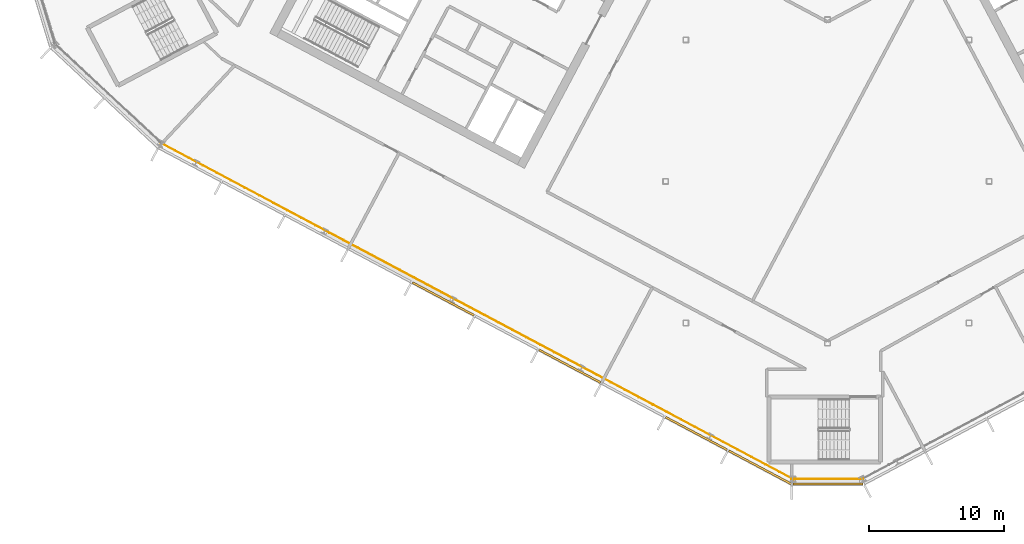
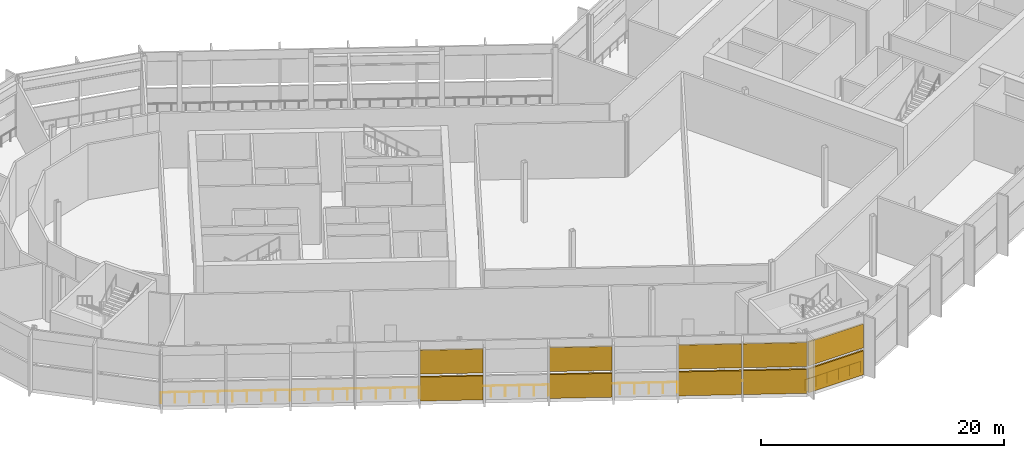
# One storey, part 22 of 33: 10 shading devices, 2 railings, 2 elements without a shape of their own.
"""IFC4 building model written with IfcOpenShell, lengths in metres."""

from ifc_helpers import new_model, si_unit, direction, frame, origin, origin_2d, place, context, subcontext, project, spatial, polyline, rectangle, outline, extrude, material, layer, layer_set, type_object, element, aggregate, save


model = new_model("IFC4")

# Units and contexts
model_context = context("Model", 3, precision=1e-05, world=origin(), true_north=direction((0.0, 1.0)))
body_context = subcontext(model_context, "Body", "Model", "MODEL_VIEW")
ifc_project = project(units=[si_unit("LENGTHUNIT", "METRE"), si_unit("AREAUNIT", "SQUARE_METRE"), si_unit("VOLUMEUNIT", "CUBIC_METRE"), si_unit("PLANEANGLEUNIT", "RADIAN"), si_unit("MASSUNIT", "GRAM", prefix="KILO")], contexts=[model_context])

# Site, building, storey
site_placement = place(None, origin())
site = spatial("IfcSite", under=ifc_project, at=site_placement, CompositionType="ELEMENT")
building_placement = place(site_placement, origin())
building = spatial("IfcBuilding", under=site, at=building_placement, Name="Cormorant Relay Tower", CompositionType="ELEMENT")
storey_placement = place(building_placement, frame((0.0, 0.0, 252.0)))
storey = spatial("IfcBuildingStorey", under=building, at=storey_placement, Name="L56", CompositionType="ELEMENT", Elevation=252.0)

# Railings
ifc_material_1 = material(Name="Stainless steel 316 guard", Category="steel")
railing_type = type_object("IfcRailingType", Name="Band louvre guard 1100", PredefinedType="GUARDRAIL", material=ifc_material_1)
railing_1_placement = place(storey_placement, frame((-2.648681640625, -22.07568359375, 0.0)))
element("IfcRailing", 1, at=railing_1_placement, inside=storey, type_object=railing_type, Name="CW4 guard 1", PredefinedType="GUARDRAIL", context=body_context, shape_type="SweptSolid", body=[
    extrude(outline(polyline([(0.022216796875, 0.00927734375), (0.00927734375, 0.022216796875), (-0.00927734375, 0.022216796875), (-0.022216796875, 0.00927734375), (-0.022216796875, -0.00927734375), (-0.00927734375, -0.022216796875), (0.00927734375, -0.022216796875), (0.022216796875, -0.00927734375), (0.022216796875, 0.00927734375)])), frame((0.0, 0.0, 1.076171875), z_axis=(1.0, 0.0, 0.0), x_axis=(0.0, 1.0, 0.0)), (0.0, 0.0, 1.0), 5.29736328125),
    extrude(outline(polyline([(0.019287109375, 0.008056640625), (0.008056640625, 0.019287109375), (-0.008056640625, 0.019287109375), (-0.019287109375, 0.008056640625), (-0.019287109375, -0.008056640625), (-0.008056640625, -0.019287109375), (0.008056640625, -0.019287109375), (0.019287109375, -0.008056640625), (0.019287109375, 0.008056640625)])), origin(), (0.0, 0.0, 1.0), 1.052001953125),
    extrude(outline(polyline([(0.019287109375, 0.008056640625), (0.008056640625, 0.019287109375), (-0.008056640625, 0.019287109375), (-0.019287109375, 0.008056640625), (-0.019287109375, -0.008056640625), (-0.008056640625, -0.019287109375), (0.008056640625, -0.019287109375), (0.019287109375, -0.008056640625), (0.019287109375, 0.008056640625)])), frame((1.0595703125, 0.0, 0.0)), (0.0, 0.0, 1.0), 1.052001953125),
    extrude(outline(polyline([(0.019287109375, 0.008056640625), (0.008056640625, 0.019287109375), (-0.008056640625, 0.019287109375), (-0.019287109375, 0.008056640625), (-0.019287109375, -0.008056640625), (-0.008056640625, -0.019287109375), (0.008056640625, -0.019287109375), (0.019287109375, -0.008056640625), (0.019287109375, 0.008056640625)])), frame((2.118896484375, 0.0, 0.0)), (0.0, 0.0, 1.0), 1.052001953125),
    extrude(outline(polyline([(0.019287109375, 0.008056640625), (0.008056640625, 0.019287109375), (-0.008056640625, 0.019287109375), (-0.019287109375, 0.008056640625), (-0.019287109375, -0.008056640625), (-0.008056640625, -0.019287109375), (0.008056640625, -0.019287109375), (0.019287109375, -0.008056640625), (0.019287109375, 0.008056640625)])), frame((3.178466796875, 0.0, 0.0)), (0.0, 0.0, 1.0), 1.052001953125),
    extrude(outline(polyline([(0.019287109375, 0.008056640625), (0.008056640625, 0.019287109375), (-0.008056640625, 0.019287109375), (-0.019287109375, 0.008056640625), (-0.019287109375, -0.008056640625), (-0.008056640625, -0.019287109375), (0.008056640625, -0.019287109375), (0.019287109375, -0.008056640625), (0.019287109375, 0.008056640625)])), frame((4.23779296875, 0.0, 0.0)), (0.0, 0.0, 1.0), 1.052001953125),
    extrude(outline(polyline([(0.019287109375, 0.008056640625), (0.008056640625, 0.019287109375), (-0.008056640625, 0.019287109375), (-0.019287109375, 0.008056640625), (-0.019287109375, -0.008056640625), (-0.008056640625, -0.019287109375), (0.008056640625, -0.019287109375), (0.019287109375, -0.008056640625), (0.019287109375, 0.008056640625)])), frame((5.29736328125, 0.0, 0.0)), (0.0, 0.0, 1.0), 1.052001953125),
])
railing_2_placement = place(storey_placement, frame((-49.45068359375, 2.84912109375, 0.0)))
element("IfcRailing", 2, at=railing_2_placement, inside=storey, type_object=railing_type, Name="CW4 guard 16", PredefinedType="GUARDRAIL", context=body_context, shape_type="SweptSolid", body=[
    extrude(outline(polyline([(0.022216796875, 0.00927734375), (0.00927734375, 0.022216796875), (-0.00927734375, 0.022216796875), (-0.022216796875, 0.00927734375), (-0.022216796875, -0.00927734375), (-0.00927734375, -0.022216796875), (0.00927734375, -0.022216796875), (0.022216796875, -0.00927734375), (0.022216796875, 0.00927734375)])), frame((0.0, 0.0, 1.076171875), z_axis=(0.88294853393, -0.469469792884, 0.0), x_axis=(0.469469792884, 0.88294853393, 0.0)), (0.0, 0.0, 1.0), 53.165771484375),
    extrude(outline(polyline([(0.019287109375, 0.008056640625), (0.008056640625, 0.019287109375), (-0.008056640625, 0.019287109375), (-0.019287109375, 0.008056640625), (-0.019287109375, -0.008056640625), (-0.008056640625, -0.019287109375), (0.008056640625, -0.019287109375), (0.019287109375, -0.008056640625), (0.019287109375, 0.008056640625)])), origin(), (0.0, 0.0, 1.0), 1.052001953125),
    extrude(outline(polyline([(0.019287109375, 0.008056640625), (0.008056640625, 0.019287109375), (-0.008056640625, 0.019287109375), (-0.019287109375, 0.008056640625), (-0.019287109375, -0.008056640625), (-0.008056640625, -0.019287109375), (0.008056640625, -0.019287109375), (0.019287109375, -0.008056640625), (0.019287109375, 0.008056640625)])), frame((1.043212890625, -0.5546875, 0.0)), (0.0, 0.0, 1.0), 1.052001953125),
    extrude(outline(polyline([(0.019287109375, 0.008056640625), (0.008056640625, 0.019287109375), (-0.008056640625, 0.019287109375), (-0.019287109375, 0.008056640625), (-0.019287109375, -0.008056640625), (-0.008056640625, -0.019287109375), (0.008056640625, -0.019287109375), (0.019287109375, -0.008056640625), (0.019287109375, 0.008056640625)])), frame((2.08642578125, -1.109375, 0.0)), (0.0, 0.0, 1.0), 1.052001953125),
    extrude(outline(polyline([(0.019287109375, 0.008056640625), (0.008056640625, 0.019287109375), (-0.008056640625, 0.019287109375), (-0.019287109375, 0.008056640625), (-0.019287109375, -0.008056640625), (-0.008056640625, -0.019287109375), (0.008056640625, -0.019287109375), (0.019287109375, -0.008056640625), (0.019287109375, 0.008056640625)])), frame((3.12939453125, -1.6640625, 0.0)), (0.0, 0.0, 1.0), 1.052001953125),
    extrude(outline(polyline([(0.019287109375, 0.008056640625), (0.008056640625, 0.019287109375), (-0.008056640625, 0.019287109375), (-0.019287109375, 0.008056640625), (-0.019287109375, -0.008056640625), (-0.008056640625, -0.019287109375), (0.008056640625, -0.019287109375), (0.019287109375, -0.008056640625), (0.019287109375, 0.008056640625)])), frame((4.172607421875, -2.21875, 0.0)), (0.0, 0.0, 1.0), 1.052001953125),
    extrude(outline(polyline([(0.019287109375, 0.008056640625), (0.008056640625, 0.019287109375), (-0.008056640625, 0.019287109375), (-0.019287109375, 0.008056640625), (-0.019287109375, -0.008056640625), (-0.008056640625, -0.019287109375), (0.008056640625, -0.019287109375), (0.019287109375, -0.008056640625), (0.019287109375, 0.008056640625)])), frame((5.2158203125, -2.773193359375, 0.0)), (0.0, 0.0, 1.0), 1.052001953125),
    extrude(outline(polyline([(0.019287109375, 0.008056640625), (0.008056640625, 0.019287109375), (-0.008056640625, 0.019287109375), (-0.019287109375, 0.008056640625), (-0.019287109375, -0.008056640625), (-0.008056640625, -0.019287109375), (0.008056640625, -0.019287109375), (0.019287109375, -0.008056640625), (0.019287109375, 0.008056640625)])), frame((6.259033203125, -3.327880859375, 0.0)), (0.0, 0.0, 1.0), 1.052001953125),
    extrude(outline(polyline([(0.019287109375, 0.008056640625), (0.008056640625, 0.019287109375), (-0.008056640625, 0.019287109375), (-0.019287109375, 0.008056640625), (-0.019287109375, -0.008056640625), (-0.008056640625, -0.019287109375), (0.008056640625, -0.019287109375), (0.019287109375, -0.008056640625), (0.019287109375, 0.008056640625)])), frame((7.30224609375, -3.882568359375, 0.0)), (0.0, 0.0, 1.0), 1.052001953125),
    extrude(outline(polyline([(0.019287109375, 0.008056640625), (0.008056640625, 0.019287109375), (-0.008056640625, 0.019287109375), (-0.019287109375, 0.008056640625), (-0.019287109375, -0.008056640625), (-0.008056640625, -0.019287109375), (0.008056640625, -0.019287109375), (0.019287109375, -0.008056640625), (0.019287109375, 0.008056640625)])), frame((8.345458984375, -4.437255859375, 0.0)), (0.0, 0.0, 1.0), 1.052001953125),
    extrude(outline(polyline([(0.019287109375, 0.008056640625), (0.008056640625, 0.019287109375), (-0.008056640625, 0.019287109375), (-0.019287109375, 0.008056640625), (-0.019287109375, -0.008056640625), (-0.008056640625, -0.019287109375), (0.008056640625, -0.019287109375), (0.019287109375, -0.008056640625), (0.019287109375, 0.008056640625)])), frame((9.388427734375, -4.991943359375, 0.0)), (0.0, 0.0, 1.0), 1.052001953125),
    extrude(outline(polyline([(0.019287109375, 0.008056640625), (0.008056640625, 0.019287109375), (-0.008056640625, 0.019287109375), (-0.019287109375, 0.008056640625), (-0.019287109375, -0.008056640625), (-0.008056640625, -0.019287109375), (0.008056640625, -0.019287109375), (0.019287109375, -0.008056640625), (0.019287109375, 0.008056640625)])), frame((10.431640625, -5.546630859375, 0.0)), (0.0, 0.0, 1.0), 1.052001953125),
    extrude(outline(polyline([(0.019287109375, 0.008056640625), (0.008056640625, 0.019287109375), (-0.008056640625, 0.019287109375), (-0.019287109375, 0.008056640625), (-0.019287109375, -0.008056640625), (-0.008056640625, -0.019287109375), (0.008056640625, -0.019287109375), (0.019287109375, -0.008056640625), (0.019287109375, 0.008056640625)])), frame((11.474853515625, -6.101318359375, 0.0)), (0.0, 0.0, 1.0), 1.052001953125),
    extrude(outline(polyline([(0.019287109375, 0.008056640625), (0.008056640625, 0.019287109375), (-0.008056640625, 0.019287109375), (-0.019287109375, 0.008056640625), (-0.019287109375, -0.008056640625), (-0.008056640625, -0.019287109375), (0.008056640625, -0.019287109375), (0.019287109375, -0.008056640625), (0.019287109375, 0.008056640625)])), frame((12.51806640625, -6.656005859375, 0.0)), (0.0, 0.0, 1.0), 1.052001953125),
    extrude(outline(polyline([(0.019287109375, 0.008056640625), (0.008056640625, 0.019287109375), (-0.008056640625, 0.019287109375), (-0.019287109375, 0.008056640625), (-0.019287109375, -0.008056640625), (-0.008056640625, -0.019287109375), (0.008056640625, -0.019287109375), (0.019287109375, -0.008056640625), (0.019287109375, 0.008056640625)])), frame((13.561279296875, -7.210693359375, 0.0)), (0.0, 0.0, 1.0), 1.052001953125),
    extrude(outline(polyline([(0.019287109375, 0.008056640625), (0.008056640625, 0.019287109375), (-0.008056640625, 0.019287109375), (-0.019287109375, 0.008056640625), (-0.019287109375, -0.008056640625), (-0.008056640625, -0.019287109375), (0.008056640625, -0.019287109375), (0.019287109375, -0.008056640625), (0.019287109375, 0.008056640625)])), frame((14.6044921875, -7.76513671875, 0.0)), (0.0, 0.0, 1.0), 1.052001953125),
    extrude(outline(polyline([(0.019287109375, 0.008056640625), (0.008056640625, 0.019287109375), (-0.008056640625, 0.019287109375), (-0.019287109375, 0.008056640625), (-0.019287109375, -0.008056640625), (-0.008056640625, -0.019287109375), (0.008056640625, -0.019287109375), (0.019287109375, -0.008056640625), (0.019287109375, 0.008056640625)])), frame((15.6474609375, -8.31982421875, 0.0)), (0.0, 0.0, 1.0), 1.052001953125),
    extrude(outline(polyline([(0.019287109375, 0.008056640625), (0.008056640625, 0.019287109375), (-0.008056640625, 0.019287109375), (-0.019287109375, 0.008056640625), (-0.019287109375, -0.008056640625), (-0.008056640625, -0.019287109375), (0.008056640625, -0.019287109375), (0.019287109375, -0.008056640625), (0.019287109375, 0.008056640625)])), frame((16.690673828125, -8.87451171875, 0.0)), (0.0, 0.0, 1.0), 1.052001953125),
    extrude(outline(polyline([(0.019287109375, 0.008056640625), (0.008056640625, 0.019287109375), (-0.008056640625, 0.019287109375), (-0.019287109375, 0.008056640625), (-0.019287109375, -0.008056640625), (-0.008056640625, -0.019287109375), (0.008056640625, -0.019287109375), (0.019287109375, -0.008056640625), (0.019287109375, 0.008056640625)])), frame((17.73388671875, -9.42919921875, 0.0)), (0.0, 0.0, 1.0), 1.052001953125),
    extrude(outline(polyline([(0.019287109375, 0.008056640625), (0.008056640625, 0.019287109375), (-0.008056640625, 0.019287109375), (-0.019287109375, 0.008056640625), (-0.019287109375, -0.008056640625), (-0.008056640625, -0.019287109375), (0.008056640625, -0.019287109375), (0.019287109375, -0.008056640625), (0.019287109375, 0.008056640625)])), frame((18.777099609375, -9.98388671875, 0.0)), (0.0, 0.0, 1.0), 1.052001953125),
    extrude(outline(polyline([(0.019287109375, 0.008056640625), (0.008056640625, 0.019287109375), (-0.008056640625, 0.019287109375), (-0.019287109375, 0.008056640625), (-0.019287109375, -0.008056640625), (-0.008056640625, -0.019287109375), (0.008056640625, -0.019287109375), (0.019287109375, -0.008056640625), (0.019287109375, 0.008056640625)])), frame((19.8203125, -10.53857421875, 0.0)), (0.0, 0.0, 1.0), 1.052001953125),
    extrude(outline(polyline([(0.019287109375, 0.008056640625), (0.008056640625, 0.019287109375), (-0.008056640625, 0.019287109375), (-0.019287109375, 0.008056640625), (-0.019287109375, -0.008056640625), (-0.008056640625, -0.019287109375), (0.008056640625, -0.019287109375), (0.019287109375, -0.008056640625), (0.019287109375, 0.008056640625)])), frame((20.86328125, -11.09326171875, 0.0)), (0.0, 0.0, 1.0), 1.052001953125),
    extrude(outline(polyline([(0.019287109375, 0.008056640625), (0.008056640625, 0.019287109375), (-0.008056640625, 0.019287109375), (-0.019287109375, 0.008056640625), (-0.019287109375, -0.008056640625), (-0.008056640625, -0.019287109375), (0.008056640625, -0.019287109375), (0.019287109375, -0.008056640625), (0.019287109375, 0.008056640625)])), frame((21.906494140625, -11.64794921875, 0.0)), (0.0, 0.0, 1.0), 1.052001953125),
    extrude(outline(polyline([(0.019287109375, 0.008056640625), (0.008056640625, 0.019287109375), (-0.008056640625, 0.019287109375), (-0.019287109375, 0.008056640625), (-0.019287109375, -0.008056640625), (-0.008056640625, -0.019287109375), (0.008056640625, -0.019287109375), (0.019287109375, -0.008056640625), (0.019287109375, 0.008056640625)])), frame((22.94970703125, -12.20263671875, 0.0)), (0.0, 0.0, 1.0), 1.052001953125),
    extrude(outline(polyline([(0.019287109375, 0.008056640625), (0.008056640625, 0.019287109375), (-0.008056640625, 0.019287109375), (-0.019287109375, 0.008056640625), (-0.019287109375, -0.008056640625), (-0.008056640625, -0.019287109375), (0.008056640625, -0.019287109375), (0.019287109375, -0.008056640625), (0.019287109375, 0.008056640625)])), frame((23.992919921875, -12.757080078125, 0.0)), (0.0, 0.0, 1.0), 1.052001953125),
    extrude(outline(polyline([(0.019287109375, 0.008056640625), (0.008056640625, 0.019287109375), (-0.008056640625, 0.019287109375), (-0.019287109375, 0.008056640625), (-0.019287109375, -0.008056640625), (-0.008056640625, -0.019287109375), (0.008056640625, -0.019287109375), (0.019287109375, -0.008056640625), (0.019287109375, 0.008056640625)])), frame((25.0361328125, -13.311767578125, 0.0)), (0.0, 0.0, 1.0), 1.052001953125),
    extrude(outline(polyline([(0.019287109375, 0.008056640625), (0.008056640625, 0.019287109375), (-0.008056640625, 0.019287109375), (-0.019287109375, 0.008056640625), (-0.019287109375, -0.008056640625), (-0.008056640625, -0.019287109375), (0.008056640625, -0.019287109375), (0.019287109375, -0.008056640625), (0.019287109375, 0.008056640625)])), frame((26.079345703125, -13.866455078125, 0.0)), (0.0, 0.0, 1.0), 1.052001953125),
    extrude(outline(polyline([(0.019287109375, 0.008056640625), (0.008056640625, 0.019287109375), (-0.008056640625, 0.019287109375), (-0.019287109375, 0.008056640625), (-0.019287109375, -0.008056640625), (-0.008056640625, -0.019287109375), (0.008056640625, -0.019287109375), (0.019287109375, -0.008056640625), (0.019287109375, 0.008056640625)])), frame((27.122314453125, -14.421142578125, 0.0)), (0.0, 0.0, 1.0), 1.052001953125),
    extrude(outline(polyline([(0.019287109375, 0.008056640625), (0.008056640625, 0.019287109375), (-0.008056640625, 0.019287109375), (-0.019287109375, 0.008056640625), (-0.019287109375, -0.008056640625), (-0.008056640625, -0.019287109375), (0.008056640625, -0.019287109375), (0.019287109375, -0.008056640625), (0.019287109375, 0.008056640625)])), frame((28.16552734375, -14.975830078125, 0.0)), (0.0, 0.0, 1.0), 1.052001953125),
    extrude(outline(polyline([(0.019287109375, 0.008056640625), (0.008056640625, 0.019287109375), (-0.008056640625, 0.019287109375), (-0.019287109375, 0.008056640625), (-0.019287109375, -0.008056640625), (-0.008056640625, -0.019287109375), (0.008056640625, -0.019287109375), (0.019287109375, -0.008056640625), (0.019287109375, 0.008056640625)])), frame((29.208740234375, -15.530517578125, 0.0)), (0.0, 0.0, 1.0), 1.052001953125),
    extrude(outline(polyline([(0.019287109375, 0.008056640625), (0.008056640625, 0.019287109375), (-0.008056640625, 0.019287109375), (-0.019287109375, 0.008056640625), (-0.019287109375, -0.008056640625), (-0.008056640625, -0.019287109375), (0.008056640625, -0.019287109375), (0.019287109375, -0.008056640625), (0.019287109375, 0.008056640625)])), frame((30.251953125, -16.085205078125, 0.0)), (0.0, 0.0, 1.0), 1.052001953125),
    extrude(outline(polyline([(0.019287109375, 0.008056640625), (0.008056640625, 0.019287109375), (-0.008056640625, 0.019287109375), (-0.019287109375, 0.008056640625), (-0.019287109375, -0.008056640625), (-0.008056640625, -0.019287109375), (0.008056640625, -0.019287109375), (0.019287109375, -0.008056640625), (0.019287109375, 0.008056640625)])), frame((31.295166015625, -16.639892578125, 0.0)), (0.0, 0.0, 1.0), 1.052001953125),
    extrude(outline(polyline([(0.019287109375, 0.008056640625), (0.008056640625, 0.019287109375), (-0.008056640625, 0.019287109375), (-0.019287109375, 0.008056640625), (-0.019287109375, -0.008056640625), (-0.008056640625, -0.019287109375), (0.008056640625, -0.019287109375), (0.019287109375, -0.008056640625), (0.019287109375, 0.008056640625)])), frame((32.338134765625, -17.194580078125, 0.0)), (0.0, 0.0, 1.0), 1.052001953125),
    extrude(outline(polyline([(0.019287109375, 0.008056640625), (0.008056640625, 0.019287109375), (-0.008056640625, 0.019287109375), (-0.019287109375, 0.008056640625), (-0.019287109375, -0.008056640625), (-0.008056640625, -0.019287109375), (0.008056640625, -0.019287109375), (0.019287109375, -0.008056640625), (0.019287109375, 0.008056640625)])), frame((33.38134765625, -17.7490234375, 0.0)), (0.0, 0.0, 1.0), 1.052001953125),
    extrude(outline(polyline([(0.019287109375, 0.008056640625), (0.008056640625, 0.019287109375), (-0.008056640625, 0.019287109375), (-0.019287109375, 0.008056640625), (-0.019287109375, -0.008056640625), (-0.008056640625, -0.019287109375), (0.008056640625, -0.019287109375), (0.019287109375, -0.008056640625), (0.019287109375, 0.008056640625)])), frame((34.424560546875, -18.3037109375, 0.0)), (0.0, 0.0, 1.0), 1.052001953125),
    extrude(outline(polyline([(0.019287109375, 0.008056640625), (0.008056640625, 0.019287109375), (-0.008056640625, 0.019287109375), (-0.019287109375, 0.008056640625), (-0.019287109375, -0.008056640625), (-0.008056640625, -0.019287109375), (0.008056640625, -0.019287109375), (0.019287109375, -0.008056640625), (0.019287109375, 0.008056640625)])), frame((35.4677734375, -18.8583984375, 0.0)), (0.0, 0.0, 1.0), 1.052001953125),
    extrude(outline(polyline([(0.019287109375, 0.008056640625), (0.008056640625, 0.019287109375), (-0.008056640625, 0.019287109375), (-0.019287109375, 0.008056640625), (-0.019287109375, -0.008056640625), (-0.008056640625, -0.019287109375), (0.008056640625, -0.019287109375), (0.019287109375, -0.008056640625), (0.019287109375, 0.008056640625)])), frame((36.510986328125, -19.4130859375, 0.0)), (0.0, 0.0, 1.0), 1.052001953125),
    extrude(outline(polyline([(0.019287109375, 0.008056640625), (0.008056640625, 0.019287109375), (-0.008056640625, 0.019287109375), (-0.019287109375, 0.008056640625), (-0.019287109375, -0.008056640625), (-0.008056640625, -0.019287109375), (0.008056640625, -0.019287109375), (0.019287109375, -0.008056640625), (0.019287109375, 0.008056640625)])), frame((37.55419921875, -19.9677734375, 0.0)), (0.0, 0.0, 1.0), 1.052001953125),
    extrude(outline(polyline([(0.019287109375, 0.008056640625), (0.008056640625, 0.019287109375), (-0.008056640625, 0.019287109375), (-0.019287109375, 0.008056640625), (-0.019287109375, -0.008056640625), (-0.008056640625, -0.019287109375), (0.008056640625, -0.019287109375), (0.019287109375, -0.008056640625), (0.019287109375, 0.008056640625)])), frame((38.59716796875, -20.5224609375, 0.0)), (0.0, 0.0, 1.0), 1.052001953125),
    extrude(outline(polyline([(0.019287109375, 0.008056640625), (0.008056640625, 0.019287109375), (-0.008056640625, 0.019287109375), (-0.019287109375, 0.008056640625), (-0.019287109375, -0.008056640625), (-0.008056640625, -0.019287109375), (0.008056640625, -0.019287109375), (0.019287109375, -0.008056640625), (0.019287109375, 0.008056640625)])), frame((39.640380859375, -21.0771484375, 0.0)), (0.0, 0.0, 1.0), 1.052001953125),
    extrude(outline(polyline([(0.019287109375, 0.008056640625), (0.008056640625, 0.019287109375), (-0.008056640625, 0.019287109375), (-0.019287109375, 0.008056640625), (-0.019287109375, -0.008056640625), (-0.008056640625, -0.019287109375), (0.008056640625, -0.019287109375), (0.019287109375, -0.008056640625), (0.019287109375, 0.008056640625)])), frame((40.68359375, -21.6318359375, 0.0)), (0.0, 0.0, 1.0), 1.052001953125),
    extrude(outline(polyline([(0.019287109375, 0.008056640625), (0.008056640625, 0.019287109375), (-0.008056640625, 0.019287109375), (-0.019287109375, 0.008056640625), (-0.019287109375, -0.008056640625), (-0.008056640625, -0.019287109375), (0.008056640625, -0.019287109375), (0.019287109375, -0.008056640625), (0.019287109375, 0.008056640625)])), frame((41.726806640625, -22.1865234375, 0.0)), (0.0, 0.0, 1.0), 1.052001953125),
    extrude(outline(polyline([(0.019287109375, 0.008056640625), (0.008056640625, 0.019287109375), (-0.008056640625, 0.019287109375), (-0.019287109375, 0.008056640625), (-0.019287109375, -0.008056640625), (-0.008056640625, -0.019287109375), (0.008056640625, -0.019287109375), (0.019287109375, -0.008056640625), (0.019287109375, 0.008056640625)])), frame((42.77001953125, -22.740966796875, 0.0)), (0.0, 0.0, 1.0), 1.052001953125),
    extrude(outline(polyline([(0.019287109375, 0.008056640625), (0.008056640625, 0.019287109375), (-0.008056640625, 0.019287109375), (-0.019287109375, 0.008056640625), (-0.019287109375, -0.008056640625), (-0.008056640625, -0.019287109375), (0.008056640625, -0.019287109375), (0.019287109375, -0.008056640625), (0.019287109375, 0.008056640625)])), frame((43.813232421875, -23.295654296875, 0.0)), (0.0, 0.0, 1.0), 1.052001953125),
    extrude(outline(polyline([(0.019287109375, 0.008056640625), (0.008056640625, 0.019287109375), (-0.008056640625, 0.019287109375), (-0.019287109375, 0.008056640625), (-0.019287109375, -0.008056640625), (-0.008056640625, -0.019287109375), (0.008056640625, -0.019287109375), (0.019287109375, -0.008056640625), (0.019287109375, 0.008056640625)])), frame((44.856201171875, -23.850341796875, 0.0)), (0.0, 0.0, 1.0), 1.052001953125),
    extrude(outline(polyline([(0.019287109375, 0.008056640625), (0.008056640625, 0.019287109375), (-0.008056640625, 0.019287109375), (-0.019287109375, 0.008056640625), (-0.019287109375, -0.008056640625), (-0.008056640625, -0.019287109375), (0.008056640625, -0.019287109375), (0.019287109375, -0.008056640625), (0.019287109375, 0.008056640625)])), frame((45.8994140625, -24.405029296875, 0.0)), (0.0, 0.0, 1.0), 1.052001953125),
    extrude(outline(polyline([(0.019287109375, 0.008056640625), (0.008056640625, 0.019287109375), (-0.008056640625, 0.019287109375), (-0.019287109375, 0.008056640625), (-0.019287109375, -0.008056640625), (-0.008056640625, -0.019287109375), (0.008056640625, -0.019287109375), (0.019287109375, -0.008056640625), (0.019287109375, 0.008056640625)])), frame((46.942626953125, -24.959716796875, 0.0)), (0.0, 0.0, 1.0), 1.052001953125),
])

# Curtain wall, shading devices
ifc_material_2 = material(Name="Aluminium 6063-T6 anodised bronze", Category="aluminium")
ifc_layer = layer(ifc_material_2, 0.199951171875)
ifc_layer_set = layer_set([ifc_layer], Name="CW4 band louvre wall")
curtain_wall_type = type_object("IfcCurtainWallType", Name="CW4 band louvre wall", PredefinedType="NOTDEFINED", material=ifc_layer_set)
curtain_wall_1_placement = place(storey_placement, origin())
curtain_wall_1 = element("IfcCurtainWall", 3, at=curtain_wall_1_placement, inside=storey, type_object=curtain_wall_type, Name="CW4 curtain wall 1", PredefinedType="NOTDEFINED")
ifc_material_3 = material(Name="Aluminium 6063-T6 anodised bronze louvre", Category="aluminium")
shading_device_type = type_object("IfcShadingDeviceType", Name="CW4 bronze louvre bank 150 x 2400", PredefinedType="USERDEFINED", material=ifc_material_3)
shading_device_1_placement = place(storey_placement, frame((0.03759765625, -22.45068359375, 2.699951171875), z_axis=(0.0, 0.0, 1.0), x_axis=(1.0, 0.0, 0.0)))
shading_device_1 = element("IfcShadingDevice", 4, at=shading_device_1_placement, type_object=shading_device_type, Name="CW4 louvre bank U1.1", ObjectType="LOUVRE", PredefinedType="USERDEFINED", context=body_context, shape_type="SweptSolid", body=[
    extrude(rectangle(XDim=5.22265625, YDim=0.14990234375, at=origin_2d()), origin(), (0.0, 0.0, 1.0), 2.39990234375),
])
shading_device_2_placement = place(storey_placement, frame((0.03759765625, -22.45068359375, 0.0), z_axis=(0.0, 0.0, 1.0), x_axis=(1.0, 0.0, 0.0)))
shading_device_2 = element("IfcShadingDevice", 5, at=shading_device_2_placement, type_object=shading_device_type, Name="CW4 louvre bank D1.1", ObjectType="LOUVRE", PredefinedType="USERDEFINED", context=body_context, shape_type="SweptSolid", body=[
    extrude(rectangle(XDim=5.22265625, YDim=0.14990234375, at=origin_2d()), origin(), (0.0, 0.0, 1.0), 2.39990234375),
])
aggregate(curtain_wall_1, [shading_device_1, shading_device_2])

curtain_wall_2_placement = place(storey_placement, origin())
curtain_wall_2 = element("IfcCurtainWall", 6, at=curtain_wall_2_placement, inside=storey, type_object=curtain_wall_type, Name="CW4 curtain wall 16", PredefinedType="NOTDEFINED")
shading_device_3_placement = place(storey_placement, frame((-28.50244140625, -8.7138671875, 2.699951171875), z_axis=(0.0, 0.0, 1.0), x_axis=(0.882947592859, -0.469471562786, 0.0)))
shading_device_3 = element("IfcShadingDevice", 7, at=shading_device_3_placement, type_object=shading_device_type, Name="CW4 louvre bank U16.5", ObjectType="LOUVRE", PredefinedType="USERDEFINED", context=body_context, shape_type="SweptSolid", body=[
    extrude(rectangle(XDim=5.16650390625, YDim=0.14990234375, at=origin_2d()), origin(), (0.0, 0.0, 1.0), 2.39990234375),
])
shading_device_4_placement = place(storey_placement, frame((-28.50244140625, -8.7138671875, 0.0), z_axis=(0.0, 0.0, 1.0), x_axis=(0.882947592859, -0.469471562786, 0.0)))
shading_device_4 = element("IfcShadingDevice", 8, at=shading_device_4_placement, type_object=shading_device_type, Name="CW4 louvre bank D16.5", ObjectType="LOUVRE", PredefinedType="USERDEFINED", context=body_context, shape_type="SweptSolid", body=[
    extrude(rectangle(XDim=5.16650390625, YDim=0.14990234375, at=origin_2d()), origin(), (0.0, 0.0, 1.0), 2.39990234375),
])
shading_device_5_placement = place(storey_placement, frame((-19.114013671875, -13.705810546875, 2.699951171875), z_axis=(0.0, 0.0, 1.0), x_axis=(0.882947592859, -0.469471562786, 0.0)))
shading_device_5 = element("IfcShadingDevice", 9, at=shading_device_5_placement, type_object=shading_device_type, Name="CW4 louvre bank U16.7", ObjectType="LOUVRE", PredefinedType="USERDEFINED", context=body_context, shape_type="SweptSolid", body=[
    extrude(rectangle(XDim=5.16650390625, YDim=0.14990234375, at=origin_2d()), origin(), (0.0, 0.0, 1.0), 2.39990234375),
])
shading_device_6_placement = place(storey_placement, frame((-19.114013671875, -13.705810546875, 0.0), z_axis=(0.0, 0.0, 1.0), x_axis=(0.882947592859, -0.469471562786, 0.0)))
shading_device_6 = element("IfcShadingDevice", 10, at=shading_device_6_placement, type_object=shading_device_type, Name="CW4 louvre bank D16.7", ObjectType="LOUVRE", PredefinedType="USERDEFINED", context=body_context, shape_type="SweptSolid", body=[
    extrude(rectangle(XDim=5.16650390625, YDim=0.14990234375, at=origin_2d()), origin(), (0.0, 0.0, 1.0), 2.39990234375),
])
shading_device_7_placement = place(storey_placement, frame((-9.7255859375, -18.69775390625, 2.699951171875), z_axis=(0.0, 0.0, 1.0), x_axis=(0.882947592859, -0.469471562786, 0.0)))
shading_device_7 = element("IfcShadingDevice", 11, at=shading_device_7_placement, type_object=shading_device_type, Name="CW4 louvre bank U16.9", ObjectType="LOUVRE", PredefinedType="USERDEFINED", context=body_context, shape_type="SweptSolid", body=[
    extrude(rectangle(XDim=5.16650390625, YDim=0.14990234375, at=origin_2d()), origin(), (0.0, 0.0, 1.0), 2.39990234375),
])
shading_device_8_placement = place(storey_placement, frame((-9.7255859375, -18.69775390625, 0.0), z_axis=(0.0, 0.0, 1.0), x_axis=(0.882947592859, -0.469471562786, 0.0)))
shading_device_8 = element("IfcShadingDevice", 12, at=shading_device_8_placement, type_object=shading_device_type, Name="CW4 louvre bank D16.9", ObjectType="LOUVRE", PredefinedType="USERDEFINED", context=body_context, shape_type="SweptSolid", body=[
    extrude(rectangle(XDim=5.16650390625, YDim=0.14990234375, at=origin_2d()), origin(), (0.0, 0.0, 1.0), 2.39990234375),
])
shading_device_9_placement = place(storey_placement, frame((-4.998046875, -21.21142578125, 2.699951171875), z_axis=(0.0, 0.0, 1.0), x_axis=(0.882947592859, -0.469471562786, 0.0)))
shading_device_9 = element("IfcShadingDevice", 13, at=shading_device_9_placement, type_object=shading_device_type, Name="CW4 louvre bank U16.10", ObjectType="LOUVRE", PredefinedType="USERDEFINED", context=body_context, shape_type="SweptSolid", body=[
    extrude(rectangle(XDim=5.24169921875, YDim=0.14990234375, at=origin_2d()), origin(), (0.0, 0.0, 1.0), 2.39990234375),
])
shading_device_10_placement = place(storey_placement, frame((-4.998046875, -21.21142578125, 0.0), z_axis=(0.0, 0.0, 1.0), x_axis=(0.882947592859, -0.469471562786, 0.0)))
shading_device_10 = element("IfcShadingDevice", 14, at=shading_device_10_placement, type_object=shading_device_type, Name="CW4 louvre bank D16.10", ObjectType="LOUVRE", PredefinedType="USERDEFINED", context=body_context, shape_type="SweptSolid", body=[
    extrude(rectangle(XDim=5.24169921875, YDim=0.14990234375, at=origin_2d()), origin(), (0.0, 0.0, 1.0), 2.39990234375),
])
aggregate(curtain_wall_2, [shading_device_3, shading_device_4, shading_device_5, shading_device_6, shading_device_7, shading_device_8, shading_device_9, shading_device_10])

save(model, "model.ifc")
